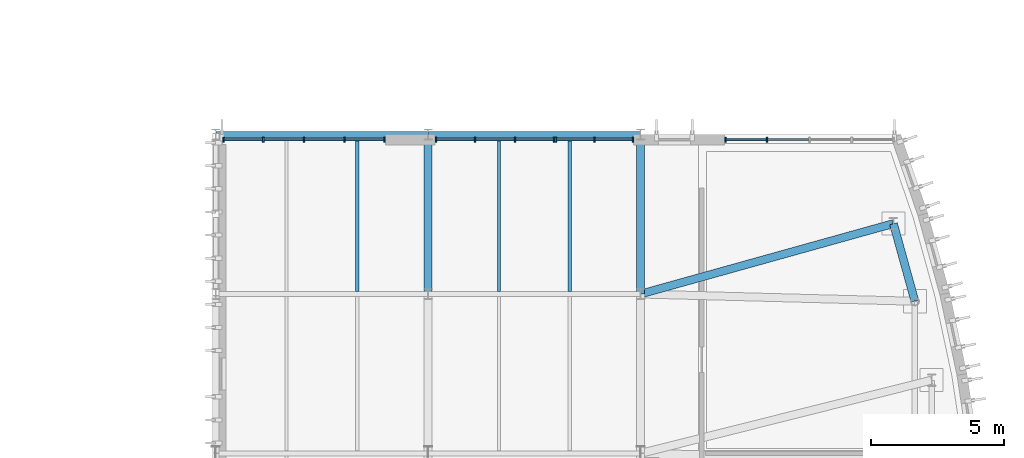
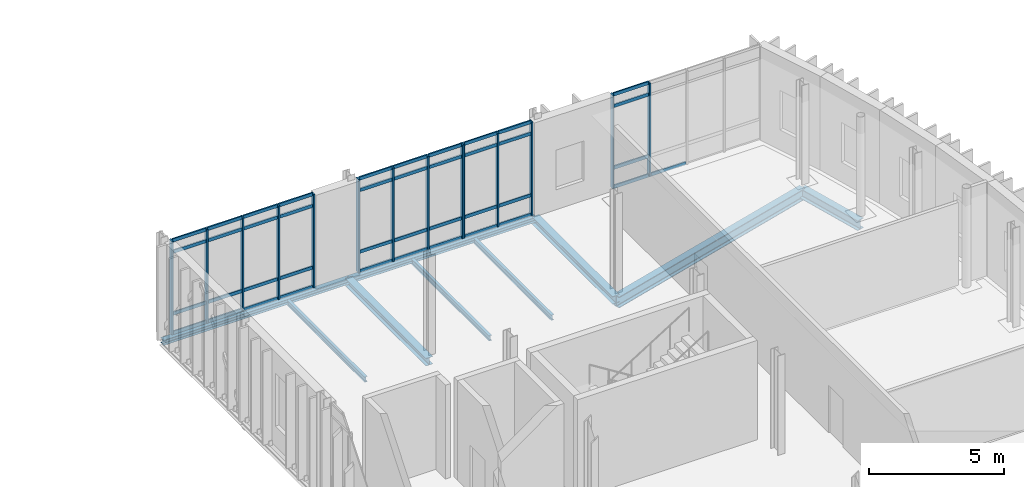
# One storey, part 47 of 100: 55 members, 9 beams, 4 elements without a shape of their own.
"""IFC4 building model written with IfcOpenShell, lengths in metres."""

from ifc_helpers import new_model, si_unit, direction, frame, origin, origin_2d, place, context, subcontext, project, spatial, rectangle, i_section, extrude, material, material_profile, profile_set, type_object, element, aggregate, save


model = new_model("IFC4")

# Units and contexts
model_context = context("Model", 3, precision=1e-05, world=origin(), true_north=direction((0.0, 1.0)))
body_context = subcontext(model_context, "Body", "Model", "MODEL_VIEW")
ifc_project = project(units=[si_unit("LENGTHUNIT", "METRE"), si_unit("AREAUNIT", "SQUARE_METRE"), si_unit("VOLUMEUNIT", "CUBIC_METRE"), si_unit("PLANEANGLEUNIT", "RADIAN"), si_unit("MASSUNIT", "GRAM", prefix="KILO")], contexts=[model_context])

# Site, building, storey
site_placement = place(None, origin())
site = spatial("IfcSite", under=ifc_project, at=site_placement, CompositionType="ELEMENT")
building_placement = place(site_placement, origin())
building = spatial("IfcBuilding", under=site, at=building_placement, Name="Cymarion Research Institute", CompositionType="ELEMENT")
storey_placement = place(building_placement, frame((0.0, 0.0, 9.300048828125)))
storey = spatial("IfcBuildingStorey", under=building, at=storey_placement, Name="L02", CompositionType="ELEMENT", Elevation=9.300048828125)

# Curtain wall, members
ifc_material_1 = material(Name="Anodised aluminium unitised curtain wall with Low-E glazing", Category="aluminium")
curtain_wall_type_1 = type_object("IfcCurtainWallType", Name="UNITISED CURTAIN WALL CW02 6390X4250", PredefinedType="NOTDEFINED", material=ifc_material_1)
curtain_wall_1_placement = place(storey_placement, origin())
curtain_wall_1 = element("IfcCurtainWall", 1, at=curtain_wall_1_placement, inside=storey, type_object=curtain_wall_type_1, Name="L02 V1 unitised curtain wall CW02 #67", PredefinedType="NOTDEFINED")
ifc_material_2 = material(Name="Anodised aluminium framing", Category="aluminium")
ifc_material_profile_1 = material_profile(ifc_material_2, rectangle(XDim=0.06005859375, YDim=0.179931640625, at=origin_2d()), Name="ALU MULLION 60x180")
ifc_profile_set_1 = profile_set([ifc_material_profile_1], Name="Anodised aluminium framing")
member_type_1 = type_object("IfcMemberType", Name="CURTAIN WALL MULLION ML01 60X180", PredefinedType="MULLION", material=ifc_profile_set_1)
member_1_placement = place(storey_placement, frame((159.3564453125, 41.31005859375, 0.0), z_axis=(0.0, 0.0, 1.0), x_axis=(-1.0, 0.0, 0.0)))
member_1 = element("IfcMember", 2, at=member_1_placement, type_object=member_type_1, Name="CW02 mullion 4", PredefinedType="MULLION", context=body_context, shape_type="SweptSolid", body=[
    extrude(rectangle(XDim=0.06005859375, YDim=0.179931640625, at=origin_2d()), origin(), (0.0, 0.0, 1.0), 4.25),
])
member_2_placement = place(storey_placement, frame((157.789794921875, 41.31005859375, 0.0), z_axis=(0.0, 0.0, 1.0), x_axis=(-1.0, 0.0, 0.0)))
member_2 = element("IfcMember", 3, at=member_2_placement, type_object=member_type_1, Name="CW02 mullion 5", PredefinedType="MULLION", context=body_context, shape_type="SweptSolid", body=[
    extrude(rectangle(XDim=0.06005859375, YDim=0.179931640625, at=origin_2d()), origin(), (0.0, 0.0, 1.0), 4.25),
])

curtain_wall_type_2 = type_object("IfcCurtainWallType", Name="UNITISED CURTAIN WALL CW03 2970X4250", PredefinedType="NOTDEFINED", material=ifc_material_1)
curtain_wall_2_placement = place(storey_placement, origin())
curtain_wall_2 = element("IfcCurtainWall", 4, at=curtain_wall_2_placement, inside=storey, type_object=curtain_wall_type_2, Name="L02 V1 unitised curtain wall CW03 #68", PredefinedType="NOTDEFINED")
member_3_placement = place(storey_placement, frame((154.31005859375, 41.31005859375, 0.0), z_axis=(0.0, 0.0, 1.0), x_axis=(-1.0, 0.0, 0.0)))
member_3 = element("IfcMember", 5, at=member_3_placement, type_object=member_type_1, Name="CW03 mullion 1", PredefinedType="MULLION", context=body_context, shape_type="SweptSolid", body=[
    extrude(rectangle(XDim=0.06005859375, YDim=0.179931640625, at=origin_2d()), origin(), (0.0, 0.0, 1.0), 4.25),
])
member_4_placement = place(storey_placement, frame((152.856689453125, 41.31005859375, 0.0), z_axis=(0.0, 0.0, 1.0), x_axis=(-1.0, 0.0, 0.0)))
member_4 = element("IfcMember", 6, at=member_4_placement, type_object=member_type_1, Name="CW03 mullion 2", PredefinedType="MULLION", context=body_context, shape_type="SweptSolid", body=[
    extrude(rectangle(XDim=0.06005859375, YDim=0.179931640625, at=origin_2d()), origin(), (0.0, 0.0, 1.0), 4.25),
])
member_5_placement = place(storey_placement, frame((151.4033203125, 41.31005859375, 0.0), z_axis=(0.0, 0.0, 1.0), x_axis=(-1.0, 0.0, 0.0)))
member_5 = element("IfcMember", 7, at=member_5_placement, type_object=member_type_1, Name="CW03 mullion 3", PredefinedType="MULLION", context=body_context, shape_type="SweptSolid", body=[
    extrude(rectangle(XDim=0.06005859375, YDim=0.179931640625, at=origin_2d()), origin(), (0.0, 0.0, 1.0), 4.25),
])

curtain_wall_type_3 = type_object("IfcCurtainWallType", Name="UNITISED CURTAIN WALL CW04 4510X4250", PredefinedType="NOTDEFINED", material=ifc_material_1)
curtain_wall_3_placement = place(storey_placement, origin())
curtain_wall_3 = element("IfcCurtainWall", 8, at=curtain_wall_3_placement, inside=storey, type_object=curtain_wall_type_3, Name="L02 V1 unitised curtain wall CW04 #69", PredefinedType="NOTDEFINED")
member_6_placement = place(storey_placement, frame((151.34326171875, 41.31005859375, 0.0), z_axis=(0.0, 0.0, 1.0), x_axis=(-1.0, 0.0, 0.0)))
member_6 = element("IfcMember", 9, at=member_6_placement, type_object=member_type_1, Name="CW04 mullion 1", PredefinedType="MULLION", context=body_context, shape_type="SweptSolid", body=[
    extrude(rectangle(XDim=0.06005859375, YDim=0.179931640625, at=origin_2d()), origin(), (0.0, 0.0, 1.0), 4.25),
])
member_7_placement = place(storey_placement, frame((149.868896484375, 41.31005859375, 0.0), z_axis=(0.0, 0.0, 1.0), x_axis=(-1.0, 0.0, 0.0)))
member_7 = element("IfcMember", 10, at=member_7_placement, type_object=member_type_1, Name="CW04 mullion 2", PredefinedType="MULLION", context=body_context, shape_type="SweptSolid", body=[
    extrude(rectangle(XDim=0.06005859375, YDim=0.179931640625, at=origin_2d()), origin(), (0.0, 0.0, 1.0), 4.25),
])
member_8_placement = place(storey_placement, frame((148.364501953125, 41.31005859375, 0.0), z_axis=(0.0, 0.0, 1.0), x_axis=(-1.0, 0.0, 0.0)))
member_8 = element("IfcMember", 11, at=member_8_placement, type_object=member_type_1, Name="CW04 mullion 3", PredefinedType="MULLION", context=body_context, shape_type="SweptSolid", body=[
    extrude(rectangle(XDim=0.06005859375, YDim=0.179931640625, at=origin_2d()), origin(), (0.0, 0.0, 1.0), 4.25),
])
member_9_placement = place(storey_placement, frame((146.889892578125, 41.31005859375, 0.0), z_axis=(0.0, 0.0, 1.0), x_axis=(-1.0, 0.0, 0.0)))
member_9 = element("IfcMember", 12, at=member_9_placement, type_object=member_type_1, Name="CW04 mullion 4", PredefinedType="MULLION", context=body_context, shape_type="SweptSolid", body=[
    extrude(rectangle(XDim=0.06005859375, YDim=0.179931640625, at=origin_2d()), origin(), (0.0, 0.0, 1.0), 4.25),
])

curtain_wall_type_4 = type_object("IfcCurtainWallType", Name="UNITISED CURTAIN WALL CW05 6130X4250", PredefinedType="NOTDEFINED", material=ifc_material_1)
curtain_wall_4_placement = place(storey_placement, origin())
curtain_wall_4 = element("IfcCurtainWall", 13, at=curtain_wall_4_placement, inside=storey, type_object=curtain_wall_type_4, Name="L02 V1 unitised curtain wall CW05 #70", PredefinedType="NOTDEFINED")
member_10_placement = place(storey_placement, frame((144.95654296875, 41.31005859375, 0.0), z_axis=(0.0, 0.0, 1.0), x_axis=(-1.0, 0.0, 0.0)))
member_10 = element("IfcMember", 14, at=member_10_placement, type_object=member_type_1, Name="CW05 mullion 1", PredefinedType="MULLION", context=body_context, shape_type="SweptSolid", body=[
    extrude(rectangle(XDim=0.06005859375, YDim=0.179931640625, at=origin_2d()), origin(), (0.0, 0.0, 1.0), 4.25),
])
member_11_placement = place(storey_placement, frame((143.454833984375, 41.31005859375, 0.0), z_axis=(0.0, 0.0, 1.0), x_axis=(-1.0, 0.0, 0.0)))
member_11 = element("IfcMember", 15, at=member_11_placement, type_object=member_type_1, Name="CW05 mullion 2", PredefinedType="MULLION", context=body_context, shape_type="SweptSolid", body=[
    extrude(rectangle(XDim=0.06005859375, YDim=0.179931640625, at=origin_2d()), origin(), (0.0, 0.0, 1.0), 4.25),
])
member_12_placement = place(storey_placement, frame((141.92333984375, 41.31005859375, 0.0), z_axis=(0.0, 0.0, 1.0), x_axis=(-1.0, 0.0, 0.0)))
member_12 = element("IfcMember", 16, at=member_12_placement, type_object=member_type_1, Name="CW05 mullion 3", PredefinedType="MULLION", context=body_context, shape_type="SweptSolid", body=[
    extrude(rectangle(XDim=0.06005859375, YDim=0.179931640625, at=origin_2d()), origin(), (0.0, 0.0, 1.0), 4.25),
])
member_13_placement = place(storey_placement, frame((140.3916015625, 41.31005859375, 0.0), z_axis=(0.0, 0.0, 1.0), x_axis=(-1.0, 0.0, 0.0)))
member_13 = element("IfcMember", 17, at=member_13_placement, type_object=member_type_1, Name="CW05 mullion 4", PredefinedType="MULLION", context=body_context, shape_type="SweptSolid", body=[
    extrude(rectangle(XDim=0.06005859375, YDim=0.179931640625, at=origin_2d()), origin(), (0.0, 0.0, 1.0), 4.25),
])
member_14_placement = place(storey_placement, frame((138.889892578125, 41.31005859375, 0.0), z_axis=(0.0, 0.0, 1.0), x_axis=(-1.0, 0.0, 0.0)))
member_14 = element("IfcMember", 18, at=member_14_placement, type_object=member_type_1, Name="CW05 mullion 5", PredefinedType="MULLION", context=body_context, shape_type="SweptSolid", body=[
    extrude(rectangle(XDim=0.06005859375, YDim=0.179931640625, at=origin_2d()), origin(), (0.0, 0.0, 1.0), 4.25),
])

# Member
ifc_material_profile_2 = material_profile(ifc_material_2, rectangle(XDim=0.06005859375, YDim=0.14990234375, at=origin_2d()), Name="ALU TRANSOM 60x150")
ifc_profile_set_2 = profile_set([ifc_material_profile_2], Name="Anodised aluminium framing")
member_type_2 = type_object("IfcMemberType", Name="CURTAIN WALL TRANSOM TR01 60X150", PredefinedType="USERDEFINED", material=ifc_profile_set_2)
member_15_placement = place(storey_placement, frame((160.923095703125, 41.31005859375, 0.030029296875), z_axis=(-1.0, 0.0, 0.0), x_axis=(0.0, -1.0, 0.0)))
member_15 = element("IfcMember", 19, at=member_15_placement, type_object=member_type_2, Name="CW02 transom 3.1", ObjectType="TRANSOM", PredefinedType="USERDEFINED", context=body_context, shape_type="SweptSolid", body=[
    extrude(rectangle(XDim=0.06005859375, YDim=0.14990234375, at=origin_2d()), origin(), (0.0, 0.0, 1.0), 1.53662109375),
])

member_16_placement = place(storey_placement, frame((159.326416015625, 41.31005859375, 0.030029296875), z_axis=(-1.0, 0.0, 0.0), x_axis=(0.0, -1.0, 0.0)))
member_16 = element("IfcMember", 20, at=member_16_placement, type_object=member_type_2, Name="CW02 transom 4.1", ObjectType="TRANSOM", PredefinedType="USERDEFINED", context=body_context, shape_type="SweptSolid", body=[
    extrude(rectangle(XDim=0.06005859375, YDim=0.14990234375, at=origin_2d()), origin(), (0.0, 0.0, 1.0), 1.506591796875),
])

member_17_placement = place(storey_placement, frame((159.326416015625, 41.31005859375, 0.89990234375), z_axis=(-1.0, 0.0, 0.0), x_axis=(0.0, -1.0, 0.0)))
member_17 = element("IfcMember", 21, at=member_17_placement, type_object=member_type_2, Name="CW02 transom 4.2", ObjectType="TRANSOM", PredefinedType="USERDEFINED", context=body_context, shape_type="SweptSolid", body=[
    extrude(rectangle(XDim=0.06005859375, YDim=0.14990234375, at=origin_2d()), origin(), (0.0, 0.0, 1.0), 1.506591796875),
])

member_18_placement = place(storey_placement, frame((159.326416015625, 41.31005859375, 3.699951171875), z_axis=(-1.0, 0.0, 0.0), x_axis=(0.0, -1.0, 0.0)))
member_18 = element("IfcMember", 22, at=member_18_placement, type_object=member_type_2, Name="CW02 transom 4.3", ObjectType="TRANSOM", PredefinedType="USERDEFINED", context=body_context, shape_type="SweptSolid", body=[
    extrude(rectangle(XDim=0.06005859375, YDim=0.14990234375, at=origin_2d()), origin(), (0.0, 0.0, 1.0), 1.506591796875),
])

member_19_placement = place(storey_placement, frame((159.326416015625, 41.31005859375, 4.219970703125), z_axis=(-1.0, 0.0, 0.0), x_axis=(0.0, -1.0, 0.0)))
member_19 = element("IfcMember", 23, at=member_19_placement, type_object=member_type_2, Name="CW02 transom 4.4", ObjectType="TRANSOM", PredefinedType="USERDEFINED", context=body_context, shape_type="SweptSolid", body=[
    extrude(rectangle(XDim=0.06005859375, YDim=0.14990234375, at=origin_2d()), origin(), (0.0, 0.0, 1.0), 1.506591796875),
])

aggregate(curtain_wall_1, [member_1, member_2, member_15, member_16, member_17, member_18, member_19])

member_20_placement = place(storey_placement, frame((154.280029296875, 41.31005859375, 0.030029296875), z_axis=(-1.0, 0.0, 0.0), x_axis=(0.0, -1.0, 0.0)))
member_20 = element("IfcMember", 24, at=member_20_placement, type_object=member_type_2, Name="CW03 transom 1.1", ObjectType="TRANSOM", PredefinedType="USERDEFINED", context=body_context, shape_type="SweptSolid", body=[
    extrude(rectangle(XDim=0.06005859375, YDim=0.14990234375, at=origin_2d()), origin(), (0.0, 0.0, 1.0), 1.393310546875),
])

member_21_placement = place(storey_placement, frame((154.280029296875, 41.31005859375, 0.89990234375), z_axis=(-1.0, 0.0, 0.0), x_axis=(0.0, -1.0, 0.0)))
member_21 = element("IfcMember", 25, at=member_21_placement, type_object=member_type_2, Name="CW03 transom 1.2", ObjectType="TRANSOM", PredefinedType="USERDEFINED", context=body_context, shape_type="SweptSolid", body=[
    extrude(rectangle(XDim=0.06005859375, YDim=0.14990234375, at=origin_2d()), origin(), (0.0, 0.0, 1.0), 1.393310546875),
])

member_22_placement = place(storey_placement, frame((154.280029296875, 41.31005859375, 3.699951171875), z_axis=(-1.0, 0.0, 0.0), x_axis=(0.0, -1.0, 0.0)))
member_22 = element("IfcMember", 26, at=member_22_placement, type_object=member_type_2, Name="CW03 transom 1.3", ObjectType="TRANSOM", PredefinedType="USERDEFINED", context=body_context, shape_type="SweptSolid", body=[
    extrude(rectangle(XDim=0.06005859375, YDim=0.14990234375, at=origin_2d()), origin(), (0.0, 0.0, 1.0), 1.393310546875),
])

member_23_placement = place(storey_placement, frame((154.280029296875, 41.31005859375, 4.219970703125), z_axis=(-1.0, 0.0, 0.0), x_axis=(0.0, -1.0, 0.0)))
member_23 = element("IfcMember", 27, at=member_23_placement, type_object=member_type_2, Name="CW03 transom 1.4", ObjectType="TRANSOM", PredefinedType="USERDEFINED", context=body_context, shape_type="SweptSolid", body=[
    extrude(rectangle(XDim=0.06005859375, YDim=0.14990234375, at=origin_2d()), origin(), (0.0, 0.0, 1.0), 1.393310546875),
])

member_24_placement = place(storey_placement, frame((152.82666015625, 41.31005859375, 0.030029296875), z_axis=(-1.0, 0.0, 0.0), x_axis=(0.0, -1.0, 0.0)))
member_24 = element("IfcMember", 28, at=member_24_placement, type_object=member_type_2, Name="CW03 transom 2.1", ObjectType="TRANSOM", PredefinedType="USERDEFINED", context=body_context, shape_type="SweptSolid", body=[
    extrude(rectangle(XDim=0.06005859375, YDim=0.14990234375, at=origin_2d()), origin(), (0.0, 0.0, 1.0), 1.3935546875),
])

member_25_placement = place(storey_placement, frame((152.82666015625, 41.31005859375, 0.89990234375), z_axis=(-1.0, 0.0, 0.0), x_axis=(0.0, -1.0, 0.0)))
member_25 = element("IfcMember", 29, at=member_25_placement, type_object=member_type_2, Name="CW03 transom 2.2", ObjectType="TRANSOM", PredefinedType="USERDEFINED", context=body_context, shape_type="SweptSolid", body=[
    extrude(rectangle(XDim=0.06005859375, YDim=0.14990234375, at=origin_2d()), origin(), (0.0, 0.0, 1.0), 1.3935546875),
])

member_26_placement = place(storey_placement, frame((152.82666015625, 41.31005859375, 3.699951171875), z_axis=(-1.0, 0.0, 0.0), x_axis=(0.0, -1.0, 0.0)))
member_26 = element("IfcMember", 30, at=member_26_placement, type_object=member_type_2, Name="CW03 transom 2.3", ObjectType="TRANSOM", PredefinedType="USERDEFINED", context=body_context, shape_type="SweptSolid", body=[
    extrude(rectangle(XDim=0.06005859375, YDim=0.14990234375, at=origin_2d()), origin(), (0.0, 0.0, 1.0), 1.3935546875),
])

member_27_placement = place(storey_placement, frame((152.82666015625, 41.31005859375, 4.219970703125), z_axis=(-1.0, 0.0, 0.0), x_axis=(0.0, -1.0, 0.0)))
member_27 = element("IfcMember", 31, at=member_27_placement, type_object=member_type_2, Name="CW03 transom 2.4", ObjectType="TRANSOM", PredefinedType="USERDEFINED", context=body_context, shape_type="SweptSolid", body=[
    extrude(rectangle(XDim=0.06005859375, YDim=0.14990234375, at=origin_2d()), origin(), (0.0, 0.0, 1.0), 1.3935546875),
])

aggregate(curtain_wall_2, [member_3, member_4, member_5, member_20, member_21, member_22, member_23, member_24, member_25, member_26, member_27])

member_28_placement = place(storey_placement, frame((151.313232421875, 41.31005859375, 0.030029296875), z_axis=(-1.0, 0.0, 0.0), x_axis=(0.0, -1.0, 0.0)))
member_28 = element("IfcMember", 32, at=member_28_placement, type_object=member_type_2, Name="CW04 transom 1.1", ObjectType="TRANSOM", PredefinedType="USERDEFINED", context=body_context, shape_type="SweptSolid", body=[
    extrude(rectangle(XDim=0.06005859375, YDim=0.14990234375, at=origin_2d()), origin(), (0.0, 0.0, 1.0), 1.41455078125),
])

member_29_placement = place(storey_placement, frame((151.313232421875, 41.31005859375, 0.89990234375), z_axis=(-1.0, 0.0, 0.0), x_axis=(0.0, -1.0, 0.0)))
member_29 = element("IfcMember", 33, at=member_29_placement, type_object=member_type_2, Name="CW04 transom 1.2", ObjectType="TRANSOM", PredefinedType="USERDEFINED", context=body_context, shape_type="SweptSolid", body=[
    extrude(rectangle(XDim=0.06005859375, YDim=0.14990234375, at=origin_2d()), origin(), (0.0, 0.0, 1.0), 1.41455078125),
])

member_30_placement = place(storey_placement, frame((151.313232421875, 41.31005859375, 3.699951171875), z_axis=(-1.0, 0.0, 0.0), x_axis=(0.0, -1.0, 0.0)))
member_30 = element("IfcMember", 34, at=member_30_placement, type_object=member_type_2, Name="CW04 transom 1.3", ObjectType="TRANSOM", PredefinedType="USERDEFINED", context=body_context, shape_type="SweptSolid", body=[
    extrude(rectangle(XDim=0.06005859375, YDim=0.14990234375, at=origin_2d()), origin(), (0.0, 0.0, 1.0), 1.41455078125),
])

member_31_placement = place(storey_placement, frame((151.313232421875, 41.31005859375, 4.219970703125), z_axis=(-1.0, 0.0, 0.0), x_axis=(0.0, -1.0, 0.0)))
member_31 = element("IfcMember", 35, at=member_31_placement, type_object=member_type_2, Name="CW04 transom 1.4", ObjectType="TRANSOM", PredefinedType="USERDEFINED", context=body_context, shape_type="SweptSolid", body=[
    extrude(rectangle(XDim=0.06005859375, YDim=0.14990234375, at=origin_2d()), origin(), (0.0, 0.0, 1.0), 1.41455078125),
])

member_32_placement = place(storey_placement, frame((149.8388671875, 41.31005859375, 0.030029296875), z_axis=(-1.0, 0.0, 0.0), x_axis=(0.0, -1.0, 0.0)))
member_32 = element("IfcMember", 36, at=member_32_placement, type_object=member_type_2, Name="CW04 transom 2.1", ObjectType="TRANSOM", PredefinedType="USERDEFINED", context=body_context, shape_type="SweptSolid", body=[
    extrude(rectangle(XDim=0.06005859375, YDim=0.14990234375, at=origin_2d()), origin(), (0.0, 0.0, 1.0), 1.444580078125),
])

member_33_placement = place(storey_placement, frame((149.8388671875, 41.31005859375, 0.89990234375), z_axis=(-1.0, 0.0, 0.0), x_axis=(0.0, -1.0, 0.0)))
member_33 = element("IfcMember", 37, at=member_33_placement, type_object=member_type_2, Name="CW04 transom 2.2", ObjectType="TRANSOM", PredefinedType="USERDEFINED", context=body_context, shape_type="SweptSolid", body=[
    extrude(rectangle(XDim=0.06005859375, YDim=0.14990234375, at=origin_2d()), origin(), (0.0, 0.0, 1.0), 1.444580078125),
])

member_34_placement = place(storey_placement, frame((149.8388671875, 41.31005859375, 3.699951171875), z_axis=(-1.0, 0.0, 0.0), x_axis=(0.0, -1.0, 0.0)))
member_34 = element("IfcMember", 38, at=member_34_placement, type_object=member_type_2, Name="CW04 transom 2.3", ObjectType="TRANSOM", PredefinedType="USERDEFINED", context=body_context, shape_type="SweptSolid", body=[
    extrude(rectangle(XDim=0.06005859375, YDim=0.14990234375, at=origin_2d()), origin(), (0.0, 0.0, 1.0), 1.444580078125),
])

member_35_placement = place(storey_placement, frame((149.8388671875, 41.31005859375, 4.219970703125), z_axis=(-1.0, 0.0, 0.0), x_axis=(0.0, -1.0, 0.0)))
member_35 = element("IfcMember", 39, at=member_35_placement, type_object=member_type_2, Name="CW04 transom 2.4", ObjectType="TRANSOM", PredefinedType="USERDEFINED", context=body_context, shape_type="SweptSolid", body=[
    extrude(rectangle(XDim=0.06005859375, YDim=0.14990234375, at=origin_2d()), origin(), (0.0, 0.0, 1.0), 1.444580078125),
])

member_36_placement = place(storey_placement, frame((148.33447265625, 41.31005859375, 0.030029296875), z_axis=(-1.0, 0.0, 0.0), x_axis=(0.0, -1.0, 0.0)))
member_36 = element("IfcMember", 40, at=member_36_placement, type_object=member_type_2, Name="CW04 transom 3.1", ObjectType="TRANSOM", PredefinedType="USERDEFINED", context=body_context, shape_type="SweptSolid", body=[
    extrude(rectangle(XDim=0.06005859375, YDim=0.14990234375, at=origin_2d()), origin(), (0.0, 0.0, 1.0), 1.41455078125),
])

member_37_placement = place(storey_placement, frame((148.33447265625, 41.31005859375, 0.89990234375), z_axis=(-1.0, 0.0, 0.0), x_axis=(0.0, -1.0, 0.0)))
member_37 = element("IfcMember", 41, at=member_37_placement, type_object=member_type_2, Name="CW04 transom 3.2", ObjectType="TRANSOM", PredefinedType="USERDEFINED", context=body_context, shape_type="SweptSolid", body=[
    extrude(rectangle(XDim=0.06005859375, YDim=0.14990234375, at=origin_2d()), origin(), (0.0, 0.0, 1.0), 1.41455078125),
])

member_38_placement = place(storey_placement, frame((148.33447265625, 41.31005859375, 3.699951171875), z_axis=(-1.0, 0.0, 0.0), x_axis=(0.0, -1.0, 0.0)))
member_38 = element("IfcMember", 42, at=member_38_placement, type_object=member_type_2, Name="CW04 transom 3.3", ObjectType="TRANSOM", PredefinedType="USERDEFINED", context=body_context, shape_type="SweptSolid", body=[
    extrude(rectangle(XDim=0.06005859375, YDim=0.14990234375, at=origin_2d()), origin(), (0.0, 0.0, 1.0), 1.41455078125),
])

member_39_placement = place(storey_placement, frame((148.33447265625, 41.31005859375, 4.219970703125), z_axis=(-1.0, 0.0, 0.0), x_axis=(0.0, -1.0, 0.0)))
member_39 = element("IfcMember", 43, at=member_39_placement, type_object=member_type_2, Name="CW04 transom 3.4", ObjectType="TRANSOM", PredefinedType="USERDEFINED", context=body_context, shape_type="SweptSolid", body=[
    extrude(rectangle(XDim=0.06005859375, YDim=0.14990234375, at=origin_2d()), origin(), (0.0, 0.0, 1.0), 1.41455078125),
])

aggregate(curtain_wall_3, [member_6, member_7, member_8, member_9, member_28, member_29, member_30, member_31, member_32, member_33, member_34, member_35, member_36, member_37, member_38, member_39])

member_40_placement = place(storey_placement, frame((144.926513671875, 41.31005859375, 0.030029296875), z_axis=(-1.0, 0.0, 0.0), x_axis=(0.0, -1.0, 0.0)))
member_40 = element("IfcMember", 44, at=member_40_placement, type_object=member_type_2, Name="CW05 transom 1.1", ObjectType="TRANSOM", PredefinedType="USERDEFINED", context=body_context, shape_type="SweptSolid", body=[
    extrude(rectangle(XDim=0.06005859375, YDim=0.14990234375, at=origin_2d()), origin(), (0.0, 0.0, 1.0), 1.441650390625),
])

member_41_placement = place(storey_placement, frame((144.926513671875, 41.31005859375, 0.89990234375), z_axis=(-1.0, 0.0, 0.0), x_axis=(0.0, -1.0, 0.0)))
member_41 = element("IfcMember", 45, at=member_41_placement, type_object=member_type_2, Name="CW05 transom 1.2", ObjectType="TRANSOM", PredefinedType="USERDEFINED", context=body_context, shape_type="SweptSolid", body=[
    extrude(rectangle(XDim=0.06005859375, YDim=0.14990234375, at=origin_2d()), origin(), (0.0, 0.0, 1.0), 1.441650390625),
])

member_42_placement = place(storey_placement, frame((144.926513671875, 41.31005859375, 3.699951171875), z_axis=(-1.0, 0.0, 0.0), x_axis=(0.0, -1.0, 0.0)))
member_42 = element("IfcMember", 46, at=member_42_placement, type_object=member_type_2, Name="CW05 transom 1.3", ObjectType="TRANSOM", PredefinedType="USERDEFINED", context=body_context, shape_type="SweptSolid", body=[
    extrude(rectangle(XDim=0.06005859375, YDim=0.14990234375, at=origin_2d()), origin(), (0.0, 0.0, 1.0), 1.441650390625),
])

member_43_placement = place(storey_placement, frame((144.926513671875, 41.31005859375, 4.219970703125), z_axis=(-1.0, 0.0, 0.0), x_axis=(0.0, -1.0, 0.0)))
member_43 = element("IfcMember", 47, at=member_43_placement, type_object=member_type_2, Name="CW05 transom 1.4", ObjectType="TRANSOM", PredefinedType="USERDEFINED", context=body_context, shape_type="SweptSolid", body=[
    extrude(rectangle(XDim=0.06005859375, YDim=0.14990234375, at=origin_2d()), origin(), (0.0, 0.0, 1.0), 1.441650390625),
])

member_44_placement = place(storey_placement, frame((143.425048828125, 41.31005859375, 0.030029296875), z_axis=(-1.0, 0.0, 0.0), x_axis=(0.0, -1.0, 0.0)))
member_44 = element("IfcMember", 48, at=member_44_placement, type_object=member_type_2, Name="CW05 transom 2.1", ObjectType="TRANSOM", PredefinedType="USERDEFINED", context=body_context, shape_type="SweptSolid", body=[
    extrude(rectangle(XDim=0.06005859375, YDim=0.14990234375, at=origin_2d()), origin(), (0.0, 0.0, 1.0), 1.4716796875),
])

member_45_placement = place(storey_placement, frame((143.425048828125, 41.31005859375, 0.89990234375), z_axis=(-1.0, 0.0, 0.0), x_axis=(0.0, -1.0, 0.0)))
member_45 = element("IfcMember", 49, at=member_45_placement, type_object=member_type_2, Name="CW05 transom 2.2", ObjectType="TRANSOM", PredefinedType="USERDEFINED", context=body_context, shape_type="SweptSolid", body=[
    extrude(rectangle(XDim=0.06005859375, YDim=0.14990234375, at=origin_2d()), origin(), (0.0, 0.0, 1.0), 1.4716796875),
])

member_46_placement = place(storey_placement, frame((143.425048828125, 41.31005859375, 3.699951171875), z_axis=(-1.0, 0.0, 0.0), x_axis=(0.0, -1.0, 0.0)))
member_46 = element("IfcMember", 50, at=member_46_placement, type_object=member_type_2, Name="CW05 transom 2.3", ObjectType="TRANSOM", PredefinedType="USERDEFINED", context=body_context, shape_type="SweptSolid", body=[
    extrude(rectangle(XDim=0.06005859375, YDim=0.14990234375, at=origin_2d()), origin(), (0.0, 0.0, 1.0), 1.4716796875),
])

member_47_placement = place(storey_placement, frame((143.425048828125, 41.31005859375, 4.219970703125), z_axis=(-1.0, 0.0, 0.0), x_axis=(0.0, -1.0, 0.0)))
member_47 = element("IfcMember", 51, at=member_47_placement, type_object=member_type_2, Name="CW05 transom 2.4", ObjectType="TRANSOM", PredefinedType="USERDEFINED", context=body_context, shape_type="SweptSolid", body=[
    extrude(rectangle(XDim=0.06005859375, YDim=0.14990234375, at=origin_2d()), origin(), (0.0, 0.0, 1.0), 1.4716796875),
])

member_48_placement = place(storey_placement, frame((141.893310546875, 41.31005859375, 0.030029296875), z_axis=(-1.0, 0.0, 0.0), x_axis=(0.0, -1.0, 0.0)))
member_48 = element("IfcMember", 52, at=member_48_placement, type_object=member_type_2, Name="CW05 transom 3.1", ObjectType="TRANSOM", PredefinedType="USERDEFINED", context=body_context, shape_type="SweptSolid", body=[
    extrude(rectangle(XDim=0.06005859375, YDim=0.14990234375, at=origin_2d()), origin(), (0.0, 0.0, 1.0), 1.4716796875),
])

member_49_placement = place(storey_placement, frame((141.893310546875, 41.31005859375, 0.89990234375), z_axis=(-1.0, 0.0, 0.0), x_axis=(0.0, -1.0, 0.0)))
member_49 = element("IfcMember", 53, at=member_49_placement, type_object=member_type_2, Name="CW05 transom 3.2", ObjectType="TRANSOM", PredefinedType="USERDEFINED", context=body_context, shape_type="SweptSolid", body=[
    extrude(rectangle(XDim=0.06005859375, YDim=0.14990234375, at=origin_2d()), origin(), (0.0, 0.0, 1.0), 1.4716796875),
])

member_50_placement = place(storey_placement, frame((141.893310546875, 41.31005859375, 3.699951171875), z_axis=(-1.0, 0.0, 0.0), x_axis=(0.0, -1.0, 0.0)))
member_50 = element("IfcMember", 54, at=member_50_placement, type_object=member_type_2, Name="CW05 transom 3.3", ObjectType="TRANSOM", PredefinedType="USERDEFINED", context=body_context, shape_type="SweptSolid", body=[
    extrude(rectangle(XDim=0.06005859375, YDim=0.14990234375, at=origin_2d()), origin(), (0.0, 0.0, 1.0), 1.4716796875),
])

member_51_placement = place(storey_placement, frame((141.893310546875, 41.31005859375, 4.219970703125), z_axis=(-1.0, 0.0, 0.0), x_axis=(0.0, -1.0, 0.0)))
member_51 = element("IfcMember", 55, at=member_51_placement, type_object=member_type_2, Name="CW05 transom 3.4", ObjectType="TRANSOM", PredefinedType="USERDEFINED", context=body_context, shape_type="SweptSolid", body=[
    extrude(rectangle(XDim=0.06005859375, YDim=0.14990234375, at=origin_2d()), origin(), (0.0, 0.0, 1.0), 1.4716796875),
])

member_52_placement = place(storey_placement, frame((140.361572265625, 41.31005859375, 0.030029296875), z_axis=(-1.0, 0.0, 0.0), x_axis=(0.0, -1.0, 0.0)))
member_52 = element("IfcMember", 56, at=member_52_placement, type_object=member_type_2, Name="CW05 transom 4.1", ObjectType="TRANSOM", PredefinedType="USERDEFINED", context=body_context, shape_type="SweptSolid", body=[
    extrude(rectangle(XDim=0.06005859375, YDim=0.14990234375, at=origin_2d()), origin(), (0.0, 0.0, 1.0), 1.441650390625),
])

member_53_placement = place(storey_placement, frame((140.361572265625, 41.31005859375, 0.89990234375), z_axis=(-1.0, 0.0, 0.0), x_axis=(0.0, -1.0, 0.0)))
member_53 = element("IfcMember", 57, at=member_53_placement, type_object=member_type_2, Name="CW05 transom 4.2", ObjectType="TRANSOM", PredefinedType="USERDEFINED", context=body_context, shape_type="SweptSolid", body=[
    extrude(rectangle(XDim=0.06005859375, YDim=0.14990234375, at=origin_2d()), origin(), (0.0, 0.0, 1.0), 1.441650390625),
])

member_54_placement = place(storey_placement, frame((140.361572265625, 41.31005859375, 3.699951171875), z_axis=(-1.0, 0.0, 0.0), x_axis=(0.0, -1.0, 0.0)))
member_54 = element("IfcMember", 58, at=member_54_placement, type_object=member_type_2, Name="CW05 transom 4.3", ObjectType="TRANSOM", PredefinedType="USERDEFINED", context=body_context, shape_type="SweptSolid", body=[
    extrude(rectangle(XDim=0.06005859375, YDim=0.14990234375, at=origin_2d()), origin(), (0.0, 0.0, 1.0), 1.441650390625),
])

member_55_placement = place(storey_placement, frame((140.361572265625, 41.31005859375, 4.219970703125), z_axis=(-1.0, 0.0, 0.0), x_axis=(0.0, -1.0, 0.0)))
member_55 = element("IfcMember", 59, at=member_55_placement, type_object=member_type_2, Name="CW05 transom 4.4", ObjectType="TRANSOM", PredefinedType="USERDEFINED", context=body_context, shape_type="SweptSolid", body=[
    extrude(rectangle(XDim=0.06005859375, YDim=0.14990234375, at=origin_2d()), origin(), (0.0, 0.0, 1.0), 1.441650390625),
])

aggregate(curtain_wall_4, [member_10, member_11, member_12, member_13, member_14, member_40, member_41, member_42, member_43, member_44, member_45, member_46, member_47, member_48, member_49, member_50, member_51, member_52, member_53, member_54, member_55])

# Beams
ifc_material_3 = material(Name="Steel S355", Category="steel")
ifc_material_profile_3 = material_profile(ifc_material_3, i_section(OverallWidth=0.300048828125, OverallDepth=0.5, WebThickness=0.014404296875, FlangeThickness=0.028076171875, FilletRadius=0.027099609375, at=origin_2d()), Name="HEB 500")
ifc_profile_set_3 = profile_set([ifc_material_profile_3], Name="Steel S355")
beam_type_1 = type_object("IfcBeamType", Name="PRIMARY GIRDER BM09 HEB 500", PredefinedType="BEAM", material=ifc_profile_set_3)
beam_1_placement = place(storey_placement, frame((154.607666015625, 35.502197265625, -0.5), z_axis=(0.963288176514, 0.26846953084, 0.0), x_axis=(-0.26846953084, 0.963288176514, 0.0)))
element("IfcBeam", 60, at=beam_1_placement, inside=storey, type_object=beam_type_1, Name="L02 V1 radial prow girder BM09 #833", PredefinedType="BEAM", context=body_context, shape_type="SweptSolid", body=[
    extrude(i_section(OverallWidth=0.300048828125, OverallDepth=0.5, WebThickness=0.014404296875, FlangeThickness=0.028076171875, FilletRadius=0.027099609375, at=origin_2d()), origin(), (0.0, 0.0, 1.0), 9.865966796875),
])
ifc_material_profile_4 = material_profile(ifc_material_3, i_section(OverallWidth=0.300048828125, OverallDepth=0.449951171875, WebThickness=0.013916015625, FlangeThickness=0.02587890625, FilletRadius=0.027099609375, at=origin_2d()), Name="HEB 450")
ifc_profile_set_4 = profile_set([ifc_material_profile_4], Name="Steel S355")
beam_type_2 = type_object("IfcBeamType", Name="PRIMARY GIRDER BM10 HEB 450", PredefinedType="BEAM", material=ifc_profile_set_4)
beam_2_placement = place(storey_placement, frame((164.92578125, 35.235107421875, -0.47509765625), z_axis=(-0.266509343606, 0.963832334885, 0.0), x_axis=(-0.963832334885, -0.266509343606, 0.0)))
element("IfcBeam", 61, at=beam_2_placement, inside=storey, type_object=beam_type_2, Name="L02 V1 prow ring girder BM10 #823", PredefinedType="BEAM", context=body_context, shape_type="SweptSolid", body=[
    extrude(i_section(OverallWidth=0.300048828125, OverallDepth=0.449951171875, WebThickness=0.013916015625, FlangeThickness=0.02587890625, FilletRadius=0.027099609375, at=origin_2d()), origin(), (0.0, 0.0, 1.0), 3.019287109375),
])
ifc_material_profile_5 = material_profile(ifc_material_3, i_section(OverallWidth=0.300048828125, OverallDepth=0.35009765625, WebThickness=0.010009765625, FlangeThickness=0.017578125, FilletRadius=0.027099609375, at=origin_2d()), Name="HEA 360")
ifc_profile_set_5 = profile_set([ifc_material_profile_5], Name="Steel S355")
beam_type_3 = type_object("IfcBeamType", Name="PRIMARY GIRDER BM12 HEA 360", PredefinedType="BEAM", material=ifc_profile_set_5)
for number, where, z_axis, x_axis, name in (
    (62, (146.60009765625, 35.506103515625, -0.425048828125), (0.0, 1.0, 0.0), (-1.0, 0.0, 0.0), "L02 V1 girder BM12 #811"),
    (63, (154.60009765625, 35.506103515625, -0.425048828125), (0.0, 1.0, 0.0), (-1.0, 0.0, 0.0), "L02 V1 girder BM12 #816"),
):
    element("IfcBeam", number, at=place(storey_placement, frame(where, z_axis=z_axis, x_axis=x_axis)), inside=storey, type_object=beam_type_3, Name=name, PredefinedType="BEAM", context=body_context, shape_type="SweptSolid", body=[
        extrude(i_section(OverallWidth=0.300048828125, OverallDepth=0.35009765625, WebThickness=0.010009765625, FlangeThickness=0.017578125, FilletRadius=0.027099609375, at=origin_2d()), origin(), (0.0, 0.0, 1.0), 5.98779296875),
    ])
ifc_material_profile_6 = material_profile(ifc_material_3, i_section(OverallWidth=0.1201171875, OverallDepth=0.239990234375, WebThickness=0.006103515625, FlangeThickness=0.009765625, FilletRadius=0.014892578125, at=origin_2d()), Name="IPE 240")
ifc_profile_set_6 = profile_set([ifc_material_profile_6], Name="Steel S355")
beam_type_4 = type_object("IfcBeamType", Name="SECONDARY JOIST JS04 IPE 240", PredefinedType="JOIST", material=ifc_profile_set_6)
for number, where, z_axis, x_axis, name in (
    (64, (143.933349609375, 35.59912109375, -0.3701171875), (0.0, 1.0, 0.0), (-1.0, 0.0, 0.0), "L02 V1 secondary joist JS04 #868"),
    (65, (149.2666015625, 35.59912109375, -0.3701171875), (0.0, 1.0, 0.0), (-1.0, 0.0, 0.0), "L02 V1 secondary joist JS04 #869"),
    (66, (151.933349609375, 35.59912109375, -0.3701171875), (0.0, 1.0, 0.0), (-1.0, 0.0, 0.0), "L02 V1 secondary joist JS04 #870"),
):
    element("IfcBeam", number, at=place(storey_placement, frame(where, z_axis=z_axis, x_axis=x_axis)), inside=storey, type_object=beam_type_4, Name=name, PredefinedType="JOIST", context=body_context, shape_type="SweptSolid", body=[
        extrude(i_section(OverallWidth=0.1201171875, OverallDepth=0.239990234375, WebThickness=0.006103515625, FlangeThickness=0.009765625, FilletRadius=0.014892578125, at=origin_2d()), origin(), (0.0, 0.0, 1.0), 5.77685546875),
    ])
ifc_material_profile_7 = material_profile(ifc_material_3, i_section(OverallWidth=0.239990234375, OverallDepth=0.22998046875, WebThickness=0.007568359375, FlangeThickness=0.011962890625, FilletRadius=0.02099609375, at=origin_2d()), Name="HEA 240")
ifc_profile_set_7 = profile_set([ifc_material_profile_7], Name="Steel S355")
beam_type_5 = type_object("IfcBeamType", Name="SPANDREL BEAM SPB03 HEA 240", PredefinedType="SPANDREL", material=ifc_profile_set_7)
for number, where, z_axis, x_axis, name in (
    (67, (138.60595703125, 41.5, -0.364990234375), (1.0, 0.0, 0.0), (0.0, 1.0, 0.0), "L02 V1 girder SPB03 #787"),
    (68, (146.60595703125, 41.5, -0.364990234375), (1.0, 0.0, 0.0), (0.0, 1.0, 0.0), "L02 V1 girder SPB03 #788"),
):
    element("IfcBeam", number, at=place(storey_placement, frame(where, z_axis=z_axis, x_axis=x_axis)), inside=storey, type_object=beam_type_5, Name=name, PredefinedType="SPANDREL", context=body_context, shape_type="SweptSolid", body=[
        extrude(i_section(OverallWidth=0.239990234375, OverallDepth=0.22998046875, WebThickness=0.007568359375, FlangeThickness=0.011962890625, FilletRadius=0.02099609375, at=origin_2d()), origin(), (0.0, 0.0, 1.0), 7.988037109375),
    ])

save(model, "model.ifc")
